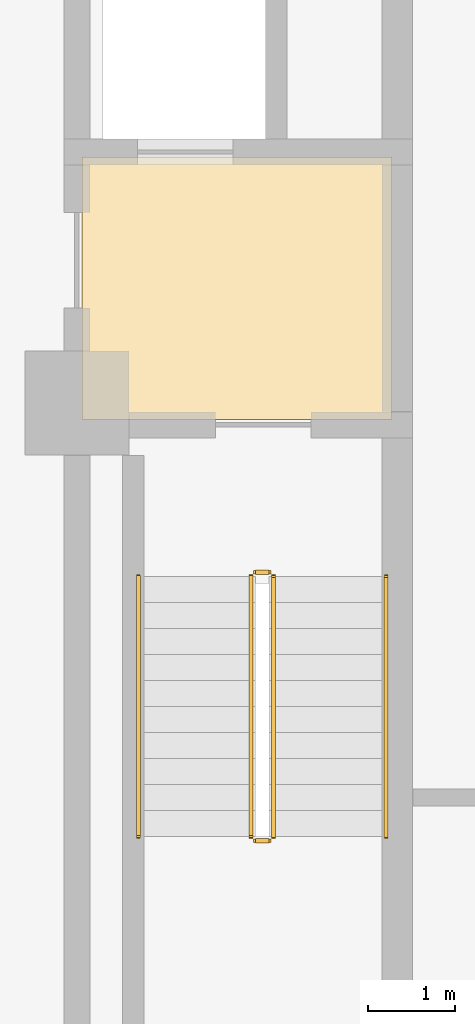
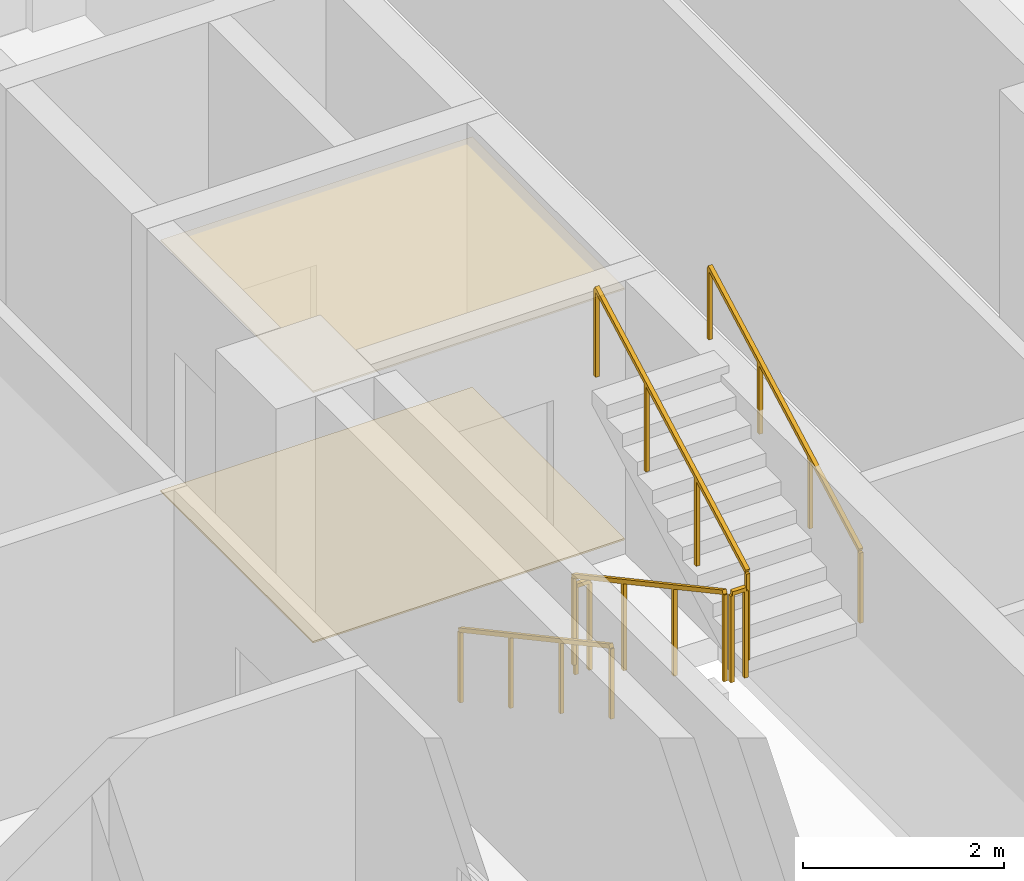
# One storey, part 12 of 13: 6 railings, 2 coverings.
"""IFC4 building model written with IfcOpenShell, lengths in metres."""

from ifc_helpers import new_model, si_unit, direction, frame, origin, origin_2d, place, context, subcontext, project, spatial, polyline, rectangle, outline, extrude, material, layer, layer_set, type_object, element, save


model = new_model("IFC4")

# Units and contexts
model_context = context("Model", 3, precision=1e-05, world=origin(), true_north=direction((0.0, 1.0)))
body_context = subcontext(model_context, "Body", "Model", "MODEL_VIEW")
ifc_project = project(units=[si_unit("LENGTHUNIT", "METRE"), si_unit("AREAUNIT", "SQUARE_METRE"), si_unit("VOLUMEUNIT", "CUBIC_METRE"), si_unit("PLANEANGLEUNIT", "RADIAN"), si_unit("MASSUNIT", "GRAM", prefix="KILO")], contexts=[model_context])

# Site, building, storey
site_placement = place(None, origin())
site = spatial("IfcSite", under=ifc_project, at=site_placement, CompositionType="ELEMENT")
building_placement = place(site_placement, origin())
building = spatial("IfcBuilding", under=site, at=building_placement, Name="Zulmaris Gate Convention Tower", CompositionType="ELEMENT")
storey_placement = place(building_placement, frame((0.0, 0.0, 34.340087890625)))
storey = spatial("IfcBuildingStorey", under=building, at=storey_placement, Name="L07", CompositionType="ELEMENT", Elevation=34.340087890625)

# Coverings
ifc_material_1 = material(Name="Mineral Fibre Acoustic Ceiling Tile")
ifc_layer_1 = layer(ifc_material_1, 0.02001953125, Name="Mineral Fibre Acoustic Ceiling Tile")
ifc_layer_set_1 = layer_set([ifc_layer_1], Name="Mineral Fibre Acoustic Ceiling Tile")
covering_type_1 = type_object("IfcCoveringType", Name="CLG-ACOUSTIC-600", PredefinedType="CEILING", material=ifc_layer_set_1)
covering_1_placement = place(storey_placement, frame((0.0, 0.0, 3.039794921875)))
element("IfcCovering", 1, at=covering_1_placement, inside=storey, type_object=covering_type_1, Name="CLG-L07-R08", PredefinedType="CEILING", context=body_context, shape_type="SweptSolid", body=[
    extrude(outline(polyline([(11.06005859375, -0.18994140625), (14.639892578125, -0.18994140625), (14.639892578125, 2.840087890625), (11.06005859375, 2.840087890625), (11.06005859375, -0.18994140625)])), origin(), (0.0, 0.0, 1.0), 0.02001953125),
])
ifc_material_2 = material(Name="Woven Acoustic Wool Carpet Tile")
ifc_layer_2 = layer(ifc_material_2, 0.02001953125, Name="Woven Acoustic Wool Carpet Tile")
ifc_layer_set_2 = layer_set([ifc_layer_2], Name="Woven Acoustic Wool Carpet Tile")
covering_type_2 = type_object("IfcCoveringType", Name="FLR-CARPET-12", PredefinedType="FLOORING", material=ifc_layer_set_2)
covering_2_placement = place(storey_placement, origin())
element("IfcCovering", 2, at=covering_2_placement, inside=storey, type_object=covering_type_2, Name="FLR-L07-R08", PredefinedType="FLOORING", context=body_context, shape_type="SweptSolid", body=[
    extrude(outline(polyline([(11.06005859375, -0.18994140625), (14.639892578125, -0.18994140625), (14.639892578125, 2.840087890625), (11.06005859375, 2.840087890625), (11.06005859375, -0.18994140625)])), origin(), (0.0, 0.0, 1.0), 0.02001953125),
])

# Railings
ifc_material_3 = material(Name="Painted Galvanised Steel", Category="steel")
railing_type_1 = type_object("IfcRailingType", Name="RL-STG-1150", PredefinedType="GUARDRAIL", material=ifc_material_3)
railing_1_placement = place(storey_placement, frame((13.010009765625, -2.0, 0.162353515625)))
element("IfcRailing", 3, at=railing_1_placement, inside=storey, type_object=railing_type_1, Name="L07 ST-2 stair guard 1", PredefinedType="GUARDRAIL", context=body_context, shape_type="SweptSolid", body=[
    extrude(rectangle(XDim=0.048095703125, YDim=0.048095703125, at=origin_2d()), frame((0.0, 0.0, 1.076171875), z_axis=(0.0, -0.879591569277, 0.475729619907), x_axis=(1.0, 0.0, 0.0)), (0.0, 0.0, 1.0), 3.41064453125),
    extrude(rectangle(XDim=0.0419921875, YDim=0.0419921875, at=origin_2d()), origin(), (0.0, 0.0, 1.0), 1.052001953125),
    extrude(rectangle(XDim=0.0419921875, YDim=0.0419921875, at=origin_2d()), frame((0.0, -1.0, 0.540771484375)), (0.0, 0.0, 1.0), 1.052001953125),
    extrude(rectangle(XDim=0.0419921875, YDim=0.0419921875, at=origin_2d()), frame((0.0, -2.0, 1.081787109375)), (0.0, 0.0, 1.0), 1.052001953125),
    extrude(rectangle(XDim=0.0419921875, YDim=0.0419921875, at=origin_2d()), frame((0.0, -3.0, 1.62255859375)), (0.0, 0.0, 1.0), 1.052001953125),
])
railing_2_placement = place(storey_placement, frame((13.06005859375, -5.050048828125, 1.784912109375)))
element("IfcRailing", 4, at=railing_2_placement, inside=storey, type_object=railing_type_1, Name="L07 ST-2 stair guard 2", PredefinedType="GUARDRAIL", context=body_context, shape_type="SweptSolid", body=[
    extrude(rectangle(XDim=0.048095703125, YDim=0.048095703125, at=origin_2d()), frame((0.0, 0.0, 1.076171875), z_axis=(1.0, 0.0, 0.0), x_axis=(0.0, 1.0, 0.0)), (0.0, 0.0, 1.0), 0.159912109375),
    extrude(rectangle(XDim=0.0419921875, YDim=0.0419921875, at=origin_2d()), origin(), (0.0, 0.0, 1.0), 1.052001953125),
    extrude(rectangle(XDim=0.0419921875, YDim=0.0419921875, at=origin_2d()), frame((0.159912109375, 0.0, 0.0)), (0.0, 0.0, 1.0), 1.052001953125),
])
railing_3_placement = place(storey_placement, frame((13.27001953125, -5.0, 1.947265625)))
element("IfcRailing", 5, at=railing_3_placement, inside=storey, type_object=railing_type_1, Name="L07 ST-2 stair guard 3", PredefinedType="GUARDRAIL", context=body_context, shape_type="SweptSolid", body=[
    extrude(rectangle(XDim=0.048095703125, YDim=0.048095703125, at=origin_2d()), frame((0.0, 0.0, 1.076171875), z_axis=(0.0, 0.879591569277, 0.475729619907), x_axis=(-1.0, 0.0, 0.0)), (0.0, 0.0, 1.0), 3.41064453125),
    extrude(rectangle(XDim=0.0419921875, YDim=0.0419921875, at=origin_2d()), origin(), (0.0, 0.0, 1.0), 1.052001953125),
    extrude(rectangle(XDim=0.0419921875, YDim=0.0419921875, at=origin_2d()), frame((0.0, 1.0, 0.540771484375)), (0.0, 0.0, 1.0), 1.052001953125),
    extrude(rectangle(XDim=0.0419921875, YDim=0.0419921875, at=origin_2d()), frame((0.0, 2.0, 1.081787109375)), (0.0, 0.0, 1.0), 1.052001953125),
    extrude(rectangle(XDim=0.0419921875, YDim=0.0419921875, at=origin_2d()), frame((0.0, 3.0, 1.62255859375)), (0.0, 0.0, 1.0), 1.052001953125),
])
railing_4_placement = place(storey_placement, frame((13.06005859375, -1.949951171875, 0.0)))
element("IfcRailing", 6, at=railing_4_placement, inside=storey, type_object=railing_type_1, Name="L07 ST-2 stair guard 4", PredefinedType="GUARDRAIL", context=body_context, shape_type="SweptSolid", body=[
    extrude(rectangle(XDim=0.048095703125, YDim=0.048095703125, at=origin_2d()), frame((0.0, 0.0, 1.076171875), z_axis=(1.0, 0.0, 0.0), x_axis=(0.0, 1.0, 0.0)), (0.0, 0.0, 1.0), 0.159912109375),
    extrude(rectangle(XDim=0.0419921875, YDim=0.0419921875, at=origin_2d()), origin(), (0.0, 0.0, 1.0), 1.052001953125),
    extrude(rectangle(XDim=0.0419921875, YDim=0.0419921875, at=origin_2d()), frame((0.159912109375, 0.0, 0.0)), (0.0, 0.0, 1.0), 1.052001953125),
])
ifc_material_4 = material(Name="Brushed Stainless Steel", Category="steel")
railing_type_2 = type_object("IfcRailingType", Name="RL-STH-900", PredefinedType="HANDRAIL", material=ifc_material_4)
railing_5_placement = place(storey_placement, frame((11.7099609375, -2.0, 0.162353515625)))
element("IfcRailing", 7, at=railing_5_placement, inside=storey, type_object=railing_type_2, Name="L07 ST-2 stair handrail 1", PredefinedType="HANDRAIL", context=body_context, shape_type="SweptSolid", body=[
    extrude(rectangle(XDim=0.048095703125, YDim=0.048095703125, at=origin_2d()), frame((0.0, 0.0, 0.8759765625), z_axis=(0.0, -0.879591569277, 0.475729619907), x_axis=(1.0, 0.0, 0.0)), (0.0, 0.0, 1.0), 3.41064453125),
    extrude(rectangle(XDim=0.0419921875, YDim=0.0419921875, at=origin_2d()), origin(), (0.0, 0.0, 1.0), 0.851806640625),
    extrude(rectangle(XDim=0.0419921875, YDim=0.0419921875, at=origin_2d()), frame((0.0, -1.0, 0.540771484375)), (0.0, 0.0, 1.0), 0.851806640625),
    extrude(rectangle(XDim=0.0419921875, YDim=0.0419921875, at=origin_2d()), frame((0.0, -2.0, 1.081787109375)), (0.0, 0.0, 1.0), 0.851806640625),
    extrude(rectangle(XDim=0.0419921875, YDim=0.0419921875, at=origin_2d()), frame((0.0, -3.0, 1.62255859375)), (0.0, 0.0, 1.0), 0.851806640625),
])
railing_6_placement = place(storey_placement, frame((14.570068359375, -5.0, 1.947265625)))
element("IfcRailing", 8, at=railing_6_placement, inside=storey, type_object=railing_type_2, Name="L07 ST-2 stair handrail 2", PredefinedType="HANDRAIL", context=body_context, shape_type="SweptSolid", body=[
    extrude(rectangle(XDim=0.048095703125, YDim=0.048095703125, at=origin_2d()), frame((0.0, 0.0, 0.8759765625), z_axis=(0.0, 0.879591569277, 0.475729619907), x_axis=(-1.0, 0.0, 0.0)), (0.0, 0.0, 1.0), 3.41064453125),
    extrude(rectangle(XDim=0.0419921875, YDim=0.0419921875, at=origin_2d()), origin(), (0.0, 0.0, 1.0), 0.851806640625),
    extrude(rectangle(XDim=0.0419921875, YDim=0.0419921875, at=origin_2d()), frame((0.0, 1.0, 0.540771484375)), (0.0, 0.0, 1.0), 0.851806640625),
    extrude(rectangle(XDim=0.0419921875, YDim=0.0419921875, at=origin_2d()), frame((0.0, 2.0, 1.081787109375)), (0.0, 0.0, 1.0), 0.851806640625),
    extrude(rectangle(XDim=0.0419921875, YDim=0.0419921875, at=origin_2d()), frame((0.0, 3.0, 1.62255859375)), (0.0, 0.0, 1.0), 0.851806640625),
])

save(model, "model.ifc")
